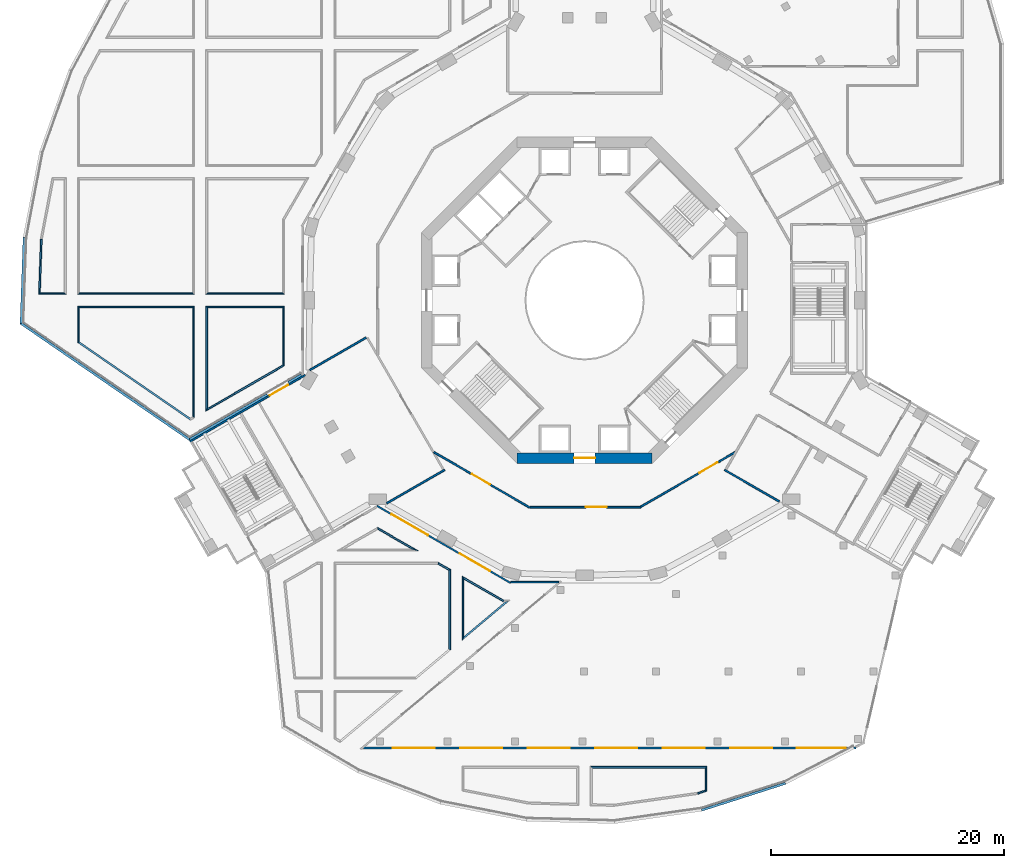
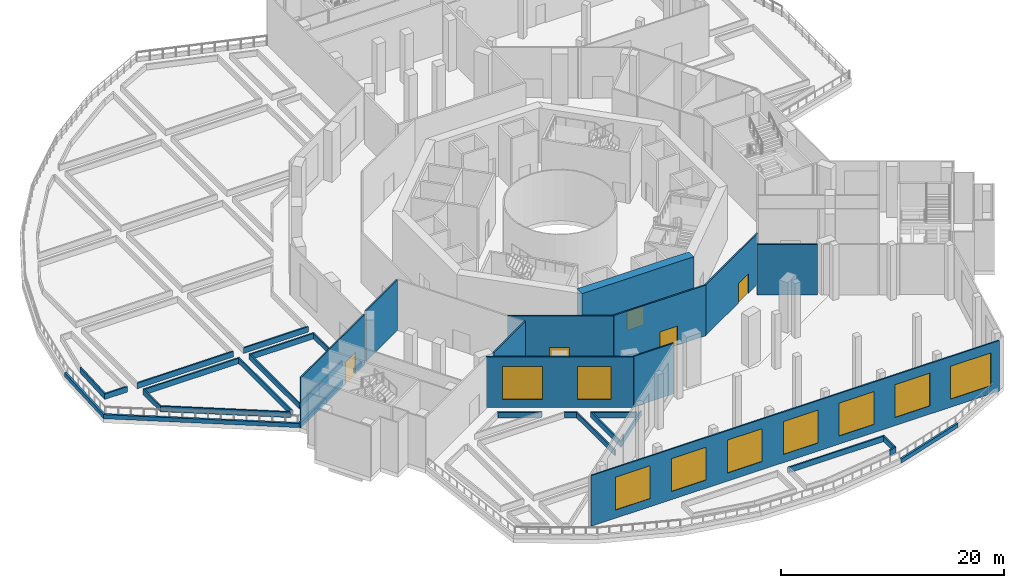
# One storey, part 4 of 29: 37 walls, 9 windows, 5 doors, 14 openings.
"""IFC4 building model written with IfcOpenShell, lengths in metres."""

from ifc_helpers import new_model, si_unit, direction, frame, frame_2d, origin, place, context, subcontext, project, spatial, polyline, rectangle, outline, extrude, material, layer, layer_set, type_object, element, fill, save


model = new_model("IFC4")

# Units and contexts
model_context = context("Model", 3, precision=1e-05, world=origin(), true_north=direction((0.0, 1.0)))
body_context = subcontext(model_context, "Body", "Model", "MODEL_VIEW")
ifc_project = project(units=[si_unit("LENGTHUNIT", "METRE"), si_unit("AREAUNIT", "SQUARE_METRE"), si_unit("VOLUMEUNIT", "CUBIC_METRE"), si_unit("PLANEANGLEUNIT", "RADIAN"), si_unit("MASSUNIT", "GRAM", prefix="KILO")], contexts=[model_context])

# Site, building, storey
site_placement = place(None, origin())
site = spatial("IfcSite", under=ifc_project, at=site_placement, CompositionType="ELEMENT")
building_placement = place(site_placement, origin())
building = spatial("IfcBuilding", under=site, at=building_placement, Name="Verdalira Terraces Hotel", CompositionType="ELEMENT")
storey_placement = place(building_placement, frame((0.0, 0.0, 8.0)))
storey = spatial("IfcBuildingStorey", under=building, at=storey_placement, Name="L01", CompositionType="ELEMENT", Elevation=8.0)

# Wall, opening, door
ifc_material_1 = material(Name="Concrete C70", Category="concrete")
ifc_layer_1 = layer(ifc_material_1, 0.89990234375)
ifc_layer_set_1 = layer_set([ifc_layer_1], Name="Core wall 900 C70")
wall_type_1 = type_object("IfcWallType", Name="Core wall 900 C70", PredefinedType="SHEAR", material=ifc_layer_set_1)
wall_1_placement = place(storey_placement, frame((-5.799072, -13.550049, 0.0), z_axis=(0.0, 0.0, 1.0), x_axis=(1.0, 0.0, 0.0)))
wall_1 = element("IfcWall", 1, at=wall_1_placement, inside=storey, type_object=wall_type_1, Name="Core wall CW-L01-7", PredefinedType="SHEAR", context=body_context, shape_type="SweptSolid", body=[
    extrude(rectangle(XDim=11.598145, YDim=0.899902, at=frame_2d((5.799072, 0.0))), origin(), (0.0, 0.0, 1.0), 6.0),
])
opening_1_placement = place(wall_1_placement, frame((4.898926, 0.0, 0.0)))
opening_1 = element("IfcOpeningElement", 2, at=opening_1_placement, cuts=wall_1, Name="Opening L01-815", PredefinedType="OPENING", context=body_context, shape_type="SweptSolid", body=[
    extrude(rectangle(XDim=1.800049, YDim=2.100098, at=frame_2d((0.899902, 1.050049))), frame((0.0, 0.459961, 0.0), z_axis=(0.0, -1.0, 0.0), x_axis=(1.0, 0.0, 0.0)), (0.0, 0.0, 1.0), 0.919922),
])
ifc_material_2 = material(Name="Steel fire door", Category="steel")
door_type_1 = type_object("IfcDoorType", Name="Core entry door pair 1800 x 2100", OperationType="NOTDEFINED", PredefinedType="DOOR", material=ifc_material_2)
door_1_placement = place(opening_1_placement, origin())
door_1 = element("IfcDoor", 3, at=door_1_placement, inside=storey, type_object=door_type_1, Name="Core entry door L01 6", OperationType="DOUBLE_DOOR_SINGLE_SWING", OverallHeight=2.10009765625, OverallWidth=1.800048828125, PredefinedType="DOOR", context=body_context, shape_type="SweptSolid", body=[
    extrude(rectangle(XDim=1.800049, YDim=2.100098, at=frame_2d((0.899902, 1.050049))), frame((0.0, 0.024902, 0.0), z_axis=(0.0, -1.0, 0.0), x_axis=(1.0, 0.0, 0.0)), (0.0, 0.0, 1.0), 0.050049),
])
fill(opening_1, door_1)

# Walls
ifc_material_3 = material(Name="Gypsum board partition on steel stud", Category="steel")
ifc_layer_2 = layer(ifc_material_3, 0.14990234375)
ifc_layer_set_2 = layer_set([ifc_layer_2], Name="Fire-rated partition 150 mm")
wall_type_2 = type_object("IfcWallType", Name="Fire-rated partition 150 mm", PredefinedType="PARTITIONING", material=ifc_layer_set_2)
wall_2_placement = place(storey_placement, frame((-18.744141, -3.200928, 0.0), z_axis=(0.0, 0.0, 1.0), x_axis=(-0.866027538, -0.499996304, 0.0)))
element("IfcWall", 4, at=wall_2_placement, inside=storey, type_object=wall_type_2, Name="Partition", PredefinedType="PARTITIONING", context=body_context, shape_type="SweptSolid", body=[
    extrude(rectangle(XDim=5.582031, YDim=0.149902, at=frame_2d((2.791016, 0.0))), origin(), (0.0, 0.0, 1.0), 5.550049),
])
wall_3_placement = place(storey_placement, frame((-16.978271, -17.423584, 0.0), z_axis=(0.0, 0.0, 1.0), x_axis=(0.866011812, 0.500023541, 0.0)))
element("IfcWall", 5, at=wall_3_placement, inside=storey, type_object=wall_type_2, Name="Partition", PredefinedType="PARTITIONING", context=body_context, shape_type="SweptSolid", body=[
    extrude(rectangle(XDim=5.732178, YDim=0.149902, at=frame_2d((2.866211, 0.0))), origin(), (0.0, 0.0, 1.0), 5.550049),
])

# Wall, opening, door
wall_4_placement = place(storey_placement, frame((-12.935059, -13.037598, 0.0), z_axis=(0.0, 0.0, 1.0), x_axis=(0.866027519, -0.499996337, 0.0)))
wall_4 = element("IfcWall", 6, at=wall_4_placement, inside=storey, type_object=wall_type_2, Name="Partition", PredefinedType="PARTITIONING", context=body_context, shape_type="SweptSolid", body=[
    extrude(rectangle(XDim=9.516602, YDim=0.149902, at=frame_2d((4.758301, 0.0))), origin(), (0.0, 0.0, 1.0), 5.550049),
])
opening_2_placement = place(wall_4_placement, frame((3.766602, 0.0, 0.0)))
opening_2 = element("IfcOpeningElement", 7, at=opening_2_placement, cuts=wall_4, Name="Opening L01-D11", PredefinedType="OPENING", context=body_context, shape_type="SweptSolid", body=[
    extrude(rectangle(XDim=1.800049, YDim=2.100098, at=frame_2d((0.899902, 1.050049))), frame((0.0, 0.084961, 0.0), z_axis=(0.0, -1.0, 0.0), x_axis=(1.0, 0.0, 0.0)), (0.0, 0.0, 1.0), 0.169922),
])
ifc_material_4 = material(Name="Steel fire door", Category="steel")
door_type_2 = type_object("IfcDoorType", Name="Fire door pair 1800 x 2100", OperationType="DOUBLE_DOOR_SINGLE_SWING", PredefinedType="DOOR", material=ifc_material_4)
door_2_placement = place(opening_2_placement, origin())
door_2 = element("IfcDoor", 8, at=door_2_placement, inside=storey, type_object=door_type_2, Name="Ring corridor door", OperationType="DOUBLE_DOOR_SINGLE_SWING", OverallHeight=2.10009765625, OverallWidth=1.800048828125, PredefinedType="DOOR", context=body_context, shape_type="SweptSolid", body=[
    extrude(rectangle(XDim=1.800049, YDim=2.100098, at=frame_2d((0.899902, 1.050049))), frame((0.0, 0.024902, 0.0), z_axis=(0.0, -1.0, 0.0), x_axis=(1.0, 0.0, 0.0)), (0.0, 0.0, 1.0), 0.050049),
])
fill(opening_2, door_2)

wall_5_placement = place(storey_placement, frame((-4.68335, -17.758301, 0.0), z_axis=(0.0, 0.0, 1.0), x_axis=(1.0, 0.0, 0.0)))
wall_5 = element("IfcWall", 9, at=wall_5_placement, inside=storey, type_object=wall_type_2, Name="Partition", PredefinedType="PARTITIONING", context=body_context, shape_type="SweptSolid", body=[
    extrude(rectangle(XDim=9.516602, YDim=0.149902, at=frame_2d((4.758301, 0.0))), origin(), (0.0, 0.0, 1.0), 5.550049),
])
opening_3_placement = place(wall_5_placement, frame((4.766602, 0.0, 0.0)))
opening_3 = element("IfcOpeningElement", 10, at=opening_3_placement, cuts=wall_5, Name="Opening L01-D14", PredefinedType="OPENING", context=body_context, shape_type="SweptSolid", body=[
    extrude(rectangle(XDim=1.800049, YDim=2.100098, at=frame_2d((0.899902, 1.050049))), frame((0.0, 0.084961, 0.0), z_axis=(0.0, -1.0, 0.0), x_axis=(1.0, 0.0, 0.0)), (0.0, 0.0, 1.0), 0.169922),
])
door_3_placement = place(opening_3_placement, origin())
door_3 = element("IfcDoor", 11, at=door_3_placement, inside=storey, type_object=door_type_2, Name="Ring corridor door", OperationType="DOUBLE_DOOR_SINGLE_SWING", OverallHeight=2.10009765625, OverallWidth=1.800048828125, PredefinedType="DOOR", context=body_context, shape_type="SweptSolid", body=[
    extrude(rectangle(XDim=1.800049, YDim=2.100098, at=frame_2d((0.899902, 1.050049))), frame((0.0, 0.024902, 0.0), z_axis=(0.0, -1.0, 0.0), x_axis=(1.0, 0.0, 0.0)), (0.0, 0.0, 1.0), 0.050049),
])
fill(opening_3, door_3)

# Wall
wall_6_placement = place(storey_placement, frame((12.01416, -14.557373, 0.0), z_axis=(0.0, 0.0, 1.0), x_axis=(0.866014594, -0.500018723, 0.0)))
element("IfcWall", 12, at=wall_6_placement, inside=storey, type_object=wall_type_2, Name="Partition", PredefinedType="PARTITIONING", context=body_context, shape_type="SweptSolid", body=[
    extrude(rectangle(XDim=5.421143, YDim=0.149902, at=frame_2d((2.710449, 0.0))), origin(), (0.0, 0.0, 1.0), 5.550049),
])

# Wall, opening, door
wall_7_placement = place(storey_placement, frame((4.823242, -17.720703, 0.0), z_axis=(0.0, 0.0, 1.0), x_axis=(0.866037142, 0.499979668, 0.0)))
wall_7 = element("IfcWall", 13, at=wall_7_placement, inside=storey, type_object=wall_type_2, Name="Partition", PredefinedType="PARTITIONING", context=body_context, shape_type="SweptSolid", body=[
    extrude(rectangle(XDim=9.366699, YDim=0.149902, at=frame_2d((4.68335, 0.0))), origin(), (0.0, 0.0, 1.0), 5.550049),
])
opening_4_placement = place(wall_7_placement, frame((5.81665, 0.0, 0.0)))
opening_4 = element("IfcOpeningElement", 14, at=opening_4_placement, cuts=wall_7, Name="Opening L01-D19", PredefinedType="OPENING", context=body_context, shape_type="SweptSolid", body=[
    extrude(rectangle(XDim=1.800049, YDim=2.100098, at=frame_2d((0.899902, 1.050049))), frame((0.0, 0.084961, 0.0), z_axis=(0.0, -1.0, 0.0), x_axis=(1.0, 0.0, 0.0)), (0.0, 0.0, 1.0), 0.169922),
])
door_4_placement = place(opening_4_placement, origin())
door_4 = element("IfcDoor", 15, at=door_4_placement, inside=storey, type_object=door_type_2, Name="Ring corridor door", OperationType="DOUBLE_DOOR_SINGLE_SWING", OverallHeight=2.10009765625, OverallWidth=1.800048828125, PredefinedType="DOOR", context=body_context, shape_type="SweptSolid", body=[
    extrude(rectangle(XDim=1.800049, YDim=2.100098, at=frame_2d((0.899902, 1.050049))), frame((0.0, 0.024902, 0.0), z_axis=(0.0, -1.0, 0.0), x_axis=(1.0, 0.0, 0.0)), (0.0, 0.0, 1.0), 0.050049),
])
fill(opening_4, door_4)

# Walls
ifc_material_5 = material(Name="Concrete C40", Category="concrete")
ifc_layer_3 = layer(ifc_material_5, 0.14990234375)
ifc_layer_set_3 = layer_set([ifc_layer_3], Name="Terrace planter trough 150 x 600")
wall_type_3 = type_object("IfcWallType", Name="Terrace planter trough 150 x 600", PredefinedType="SOLIDWALL", material=ifc_layer_set_3)
wall_8_placement = place(storey_placement, origin())
element("IfcWall", 16, at=wall_8_placement, inside=storey, type_object=wall_type_3, Name="Terrace planting bed trough", PredefinedType="SOLIDWALL", context=body_context, shape_type="SweptSolid", body=[
    extrude(outline(polyline([(-32.5, 0.5), (-25.758301, 0.5), (-25.908203, 0.649902), (-32.350098, 0.649902), (-32.5, 0.5)])), origin(), (0.0, 0.0, 1.0), 0.600098),
])
wall_9_placement = place(storey_placement, origin())
element("IfcWall", 17, at=wall_9_placement, inside=storey, type_object=wall_type_3, Name="Terrace planting bed trough", PredefinedType="SOLIDWALL", context=body_context, shape_type="SweptSolid", body=[
    extrude(outline(polyline([(-25.758301, -5.634033), (-25.758301, -0.5), (-25.908203, -0.649902), (-25.908203, -5.547363), (-25.758301, -5.634033)])), origin(), (0.0, 0.0, 1.0), 0.600098),
])
wall_10_placement = place(storey_placement, origin())
element("IfcWall", 18, at=wall_10_placement, inside=storey, type_object=wall_type_3, Name="Terrace planting bed trough", PredefinedType="SOLIDWALL", context=body_context, shape_type="SweptSolid", body=[
    extrude(outline(polyline([(-25.758301, -0.5), (-32.5, -0.5), (-32.350098, -0.649902), (-25.908203, -0.649902), (-25.758301, -0.5)])), origin(), (0.0, 0.0, 1.0), 0.600098),
])
wall_11_placement = place(storey_placement, origin())
element("IfcWall", 19, at=wall_11_placement, inside=storey, type_object=wall_type_3, Name="Terrace planting bed trough", PredefinedType="SOLIDWALL", context=body_context, shape_type="SweptSolid", body=[
    extrude(outline(polyline([(-32.5, -0.5), (-32.5, -9.526367), (-32.350098, -9.266602), (-32.350098, -0.649902), (-32.5, -0.5)])), origin(), (0.0, 0.0, 1.0), 0.600098),
])
wall_12_placement = place(storey_placement, origin())
element("IfcWall", 20, at=wall_12_placement, inside=storey, type_object=wall_type_3, Name="Terrace planting bed trough", PredefinedType="SOLIDWALL", context=body_context, shape_type="SweptSolid", body=[
    extrude(outline(polyline([(-32.5, -9.526367), (-25.758301, -5.634033), (-25.908203, -5.547363), (-32.350098, -9.266602), (-32.5, -9.526367)])), origin(), (0.0, 0.0, 1.0), 0.600098),
])
wall_13_placement = place(storey_placement, origin())
element("IfcWall", 21, at=wall_13_placement, inside=storey, type_object=wall_type_3, Name="Terrace planting bed trough", PredefinedType="SOLIDWALL", context=body_context, shape_type="SweptSolid", body=[
    extrude(outline(polyline([(-33.5, -10.103516), (-33.5, -0.5), (-33.649902, -0.649902), (-33.649902, -10.01709), (-33.5, -10.103516)])), origin(), (0.0, 0.0, 1.0), 0.600098),
])
wall_14_placement = place(storey_placement, origin())
element("IfcWall", 22, at=wall_14_placement, inside=storey, type_object=wall_type_3, Name="Terrace planting bed trough", PredefinedType="SOLIDWALL", context=body_context, shape_type="SweptSolid", body=[
    extrude(outline(polyline([(-33.5, -0.5), (-43.5, -0.5), (-43.350098, -0.649902), (-33.649902, -0.649902), (-33.5, -0.5)])), origin(), (0.0, 0.0, 1.0), 0.600098),
])
wall_15_placement = place(storey_placement, origin())
element("IfcWall", 23, at=wall_15_placement, inside=storey, type_object=wall_type_3, Name="Terrace planting bed trough", PredefinedType="SOLIDWALL", context=body_context, shape_type="SweptSolid", body=[
    extrude(outline(polyline([(-43.5, -0.5), (-43.5, -3.639404), (-43.350098, -3.560791), (-43.350098, -0.649902), (-43.5, -0.5)])), origin(), (0.0, 0.0, 1.0), 0.600098),
])
wall_16_placement = place(storey_placement, origin())
element("IfcWall", 24, at=wall_16_placement, inside=storey, type_object=wall_type_3, Name="Terrace planting bed trough", PredefinedType="SOLIDWALL", context=body_context, shape_type="SweptSolid", body=[
    extrude(outline(polyline([(-43.5, -3.639404), (-33.83667, -10.298096), (-33.82959, -10.120605), (-43.350098, -3.560791), (-43.5, -3.639404)])), origin(), (0.0, 0.0, 1.0), 0.600098),
])
wall_17_placement = place(storey_placement, origin())
element("IfcWall", 25, at=wall_17_placement, inside=storey, type_object=wall_type_3, Name="Terrace planting bed trough", PredefinedType="SOLIDWALL", context=body_context, shape_type="SweptSolid", body=[
    extrude(outline(polyline([(-46.70166, 5.247559), (-46.867188, 0.5), (-46.711914, 0.649902), (-46.552002, 5.230713), (-46.70166, 5.247559)])), origin(), (0.0, 0.0, 1.0), 0.600098),
])
wall_18_placement = place(storey_placement, origin())
element("IfcWall", 26, at=wall_18_placement, inside=storey, type_object=wall_type_3, Name="Terrace planting bed trough", PredefinedType="SOLIDWALL", context=body_context, shape_type="SweptSolid", body=[
    extrude(outline(polyline([(-46.867188, 0.5), (-44.5, 0.5), (-44.649902, 0.649902), (-46.711914, 0.649902), (-46.867188, 0.5)])), origin(), (0.0, 0.0, 1.0), 0.600098),
])
wall_19_placement = place(storey_placement, origin())
element("IfcWall", 27, at=wall_19_placement, inside=storey, type_object=wall_type_3, Name="Terrace planting bed trough", PredefinedType="SOLIDWALL", context=body_context, shape_type="SweptSolid", body=[
    extrude(outline(polyline([(-43.5, 0.5), (-33.5, 0.5), (-33.649902, 0.649902), (-43.350098, 0.649902), (-43.5, 0.5)])), origin(), (0.0, 0.0, 1.0), 0.600098),
])
wall_20_placement = place(storey_placement, origin())
element("IfcWall", 28, at=wall_20_placement, inside=storey, type_object=wall_type_3, Name="Terrace planting bed trough", PredefinedType="SOLIDWALL", context=body_context, shape_type="SweptSolid", body=[
    extrude(outline(polyline([(-14.277588, -21.5), (-17.758301, -19.490479), (-17.758301, -19.663574), (-14.837402, -21.350098), (-14.277588, -21.5)])), origin(), (0.0, 0.0, 1.0), 0.600098),
])
wall_21_placement = place(storey_placement, origin())
element("IfcWall", 29, at=wall_21_placement, inside=storey, type_object=wall_type_3, Name="Terrace planting bed trough", PredefinedType="SOLIDWALL", context=body_context, shape_type="SweptSolid", body=[
    extrude(outline(polyline([(-11.5, -23.103516), (-12.54541, -22.5), (-12.585693, -22.649902), (-11.649902, -23.190186), (-11.5, -23.103516)])), origin(), (0.0, 0.0, 1.0), 0.600098),
])
wall_22_placement = place(storey_placement, origin())
element("IfcWall", 30, at=wall_22_placement, inside=storey, type_object=wall_type_3, Name="Terrace planting bed trough", PredefinedType="SOLIDWALL", context=body_context, shape_type="SweptSolid", body=[
    extrude(outline(polyline([(-11.5, -30.013184), (-11.5, -23.103516), (-11.649902, -23.190186), (-11.649902, -29.943359), (-11.5, -30.013184)])), origin(), (0.0, 0.0, 1.0), 0.600098),
])
wall_23_placement = place(storey_placement, origin())
element("IfcWall", 31, at=wall_23_placement, inside=storey, type_object=wall_type_3, Name="Terrace planting bed trough", PredefinedType="SOLIDWALL", context=body_context, shape_type="SweptSolid", body=[
    extrude(outline(polyline([(-6.901855, -25.758301), (-10.5, -23.680908), (-10.350098, -23.940918), (-6.942139, -25.908203), (-6.901855, -25.758301)])), origin(), (0.0, 0.0, 1.0), 0.600098),
])
wall_24_placement = place(storey_placement, origin())
element("IfcWall", 32, at=wall_24_placement, inside=storey, type_object=wall_type_3, Name="Terrace planting bed trough", PredefinedType="SOLIDWALL", context=body_context, shape_type="SweptSolid", body=[
    extrude(outline(polyline([(-10.5, -23.680908), (-10.5, -29.174316), (-10.350098, -28.852539), (-10.350098, -23.940918), (-10.5, -23.680908)])), origin(), (0.0, 0.0, 1.0), 0.600098),
])
wall_25_placement = place(storey_placement, origin())
element("IfcWall", 33, at=wall_25_placement, inside=storey, type_object=wall_type_3, Name="Terrace planting bed trough", PredefinedType="SOLIDWALL", context=body_context, shape_type="SweptSolid", body=[
    extrude(outline(polyline([(-10.5, -29.174316), (-6.429199, -25.758301), (-6.841309, -25.908203), (-10.350098, -28.852539), (-10.5, -29.174316)])), origin(), (0.0, 0.0, 1.0), 0.600098),
])
wall_26_placement = place(storey_placement, origin())
element("IfcWall", 34, at=wall_26_placement, inside=storey, type_object=wall_type_3, Name="Terrace planting bed trough", PredefinedType="SOLIDWALL", context=body_context, shape_type="SweptSolid", body=[
    extrude(outline(polyline([(9.738281, -42.390381), (10.5, -42.146484), (10.350098, -42.037109), (9.70459, -42.243896), (9.738281, -42.390381)])), origin(), (0.0, 0.0, 1.0), 0.600098),
])
wall_27_placement = place(storey_placement, origin())
element("IfcWall", 35, at=wall_27_placement, inside=storey, type_object=wall_type_3, Name="Terrace planting bed trough", PredefinedType="SOLIDWALL", context=body_context, shape_type="SweptSolid", body=[
    extrude(outline(polyline([(10.5, -42.146484), (10.5, -40.0), (10.350098, -40.149902), (10.350098, -42.037109), (10.5, -42.146484)])), origin(), (0.0, 0.0, 1.0), 0.600098),
])
wall_28_placement = place(storey_placement, origin())
element("IfcWall", 36, at=wall_28_placement, inside=storey, type_object=wall_type_3, Name="Terrace planting bed trough", PredefinedType="SOLIDWALL", context=body_context, shape_type="SweptSolid", body=[
    extrude(outline(polyline([(10.5, -40.0), (0.5, -40.0), (0.649902, -40.149902), (10.350098, -40.149902), (10.5, -40.0)])), origin(), (0.0, 0.0, 1.0), 0.600098),
])
ifc_material_6 = material(Name="Concrete C40", Category="concrete")
ifc_layer_4 = layer(ifc_material_6, 0.199951171875)
ifc_layer_set_4 = layer_set([ifc_layer_4], Name="Terrace upstand 200 x 450")
wall_type_4 = type_object("IfcWallType", Name="Terrace upstand 200 x 450", PredefinedType="SOLIDWALL", material=ifc_layer_set_4)
wall_29_placement = place(storey_placement, origin())
element("IfcWall", 37, at=wall_29_placement, inside=storey, type_object=wall_type_4, Name="Terrace upstand", PredefinedType="SOLIDWALL", context=body_context, shape_type="SweptSolid", body=[
    extrude(outline(polyline([(-47.997314, 5.393311), (-48.196777, 5.415527), (-48.456787, -2.045654), (-48.253174, -1.943115), (-47.997314, 5.393311)])), origin(), (0.0, 0.0, 1.0), 0.449951),
])
wall_30_placement = place(storey_placement, origin())
element("IfcWall", 38, at=wall_30_placement, inside=storey, type_object=wall_type_4, Name="Terrace upstand", PredefinedType="SOLIDWALL", context=body_context, shape_type="SweptSolid", body=[
    extrude(outline(polyline([(-48.253174, -1.943115), (-48.456787, -2.045654), (-33.907227, -12.070801), (-33.897949, -11.834473), (-48.253174, -1.943115)])), origin(), (0.0, 0.0, 1.0), 0.449951),
])
wall_31_placement = place(storey_placement, origin())
element("IfcWall", 39, at=wall_31_placement, inside=storey, type_object=wall_type_4, Name="Terrace upstand", PredefinedType="SOLIDWALL", context=body_context, shape_type="SweptSolid", body=[
    extrude(outline(polyline([(-33.907227, -12.070801), (-27.189697, -8.192383), (-27.289795, -8.019287), (-33.897949, -11.834473), (-33.907227, -12.070801)])), origin(), (0.0, 0.0, 1.0), 0.449951),
])
wall_32_placement = place(storey_placement, origin())
element("IfcWall", 40, at=wall_32_placement, inside=storey, type_object=wall_type_4, Name="Terrace upstand", PredefinedType="SOLIDWALL", context=body_context, shape_type="SweptSolid", body=[
    extrude(outline(polyline([(-24.358398, -6.326904), (-25.471191, -6.969238), (-25.371094, -7.142334), (-24.258301, -6.5), (-24.358398, -6.326904)])), origin(), (0.0, 0.0, 1.0), 0.449951),
])
wall_33_placement = place(storey_placement, origin())
element("IfcWall", 41, at=wall_33_placement, inside=storey, type_object=wall_type_4, Name="Terrace upstand", PredefinedType="SOLIDWALL", context=body_context, shape_type="SweptSolid", body=[
    extrude(outline(polyline([(10.030518, -43.662109), (10.075195, -43.857666), (17.281982, -41.549072), (17.204834, -41.36377), (10.030518, -43.662109)])), origin(), (0.0, 0.0, 1.0), 0.449951),
])

# Wall, opening, door
ifc_material_7 = material(Name="Concrete C40", Category="concrete")
ifc_layer_5 = layer(ifc_material_7, 0.139892578125)
ifc_layer_set_5 = layer_set([ifc_layer_5], Name="Terracotta clad concrete wall C40 140 mm")
wall_type_5 = type_object("IfcWallType", Name="Terracotta clad concrete wall C40 140 mm", PredefinedType="SOLIDWALL", material=ifc_layer_set_5)
wall_34_placement = place(storey_placement, frame((-23.995361, -6.428955, 0.0), z_axis=(0.0, 0.0, 1.0), x_axis=(-0.866018753, -0.500011519, 0.0)))
wall_34 = element("IfcWall", 42, at=wall_34_placement, inside=storey, type_object=wall_type_5, Name="Podium facade wall", PredefinedType="SOLIDWALL", context=body_context, shape_type="SweptSolid", body=[
    extrude(rectangle(XDim=11.405029, YDim=0.139893, at=frame_2d((5.702637, 0.0))), origin(), (0.0, 0.0, 1.0), 5.550049),
])
opening_5_placement = place(wall_34_placement, frame((1.697998, 0.0, 0.0)))
opening_5 = element("IfcOpeningElement", 43, at=opening_5_placement, cuts=wall_34, Name="Opening L01-T04", PredefinedType="OPENING", context=body_context, shape_type="SweptSolid", body=[
    extrude(rectangle(XDim=1.800049, YDim=2.399902, at=frame_2d((0.899902, 1.199951))), frame((0.0, 0.079834, 0.0), z_axis=(0.0, -1.0, 0.0), x_axis=(1.0, 0.0, 0.0)), (0.0, 0.0, 1.0), 0.159912),
])
ifc_material_8 = material(Name="Glazed aluminium door", Category="aluminium")
door_type_3 = type_object("IfcDoorType", Name="Terrace door pair 1800 x 2400", OperationType="DOUBLE_DOOR_SINGLE_SWING", PredefinedType="DOOR", material=ifc_material_8)
door_5_placement = place(opening_5_placement, origin())
door_5 = element("IfcDoor", 44, at=door_5_placement, inside=storey, type_object=door_type_3, Name="Terrace door", OperationType="DOUBLE_DOOR_SINGLE_SWING", OverallHeight=2.39990234375, OverallWidth=1.800048828125, PredefinedType="DOOR", context=body_context, shape_type="SweptSolid", body=[
    extrude(rectangle(XDim=1.800049, YDim=2.399902, at=frame_2d((0.899902, 1.199951))), frame((0.0, 0.024902, 0.0), z_axis=(0.0, -1.0, 0.0), x_axis=(1.0, 0.0, 0.0)), (0.0, 0.0, 1.0), 0.050049),
])
fill(opening_5, door_5)

# Wall, openings, windows
ifc_material_9 = material(Name="Terracotta cladding on steel stud backup", Category="masonry")
ifc_layer_6 = layer(ifc_material_9, 0.139892578125)
ifc_layer_set_6 = layer_set([ifc_layer_6], Name="Terracotta clad wall 140 mm")
wall_type_6 = type_object("IfcWallType", Name="Terracotta clad wall 140 mm", PredefinedType="SOLIDWALL", material=ifc_layer_set_6)
wall_35_placement = place(storey_placement, frame((-17.828369, -17.637207, 0.0), z_axis=(0.0, 0.0, 1.0), x_axis=(0.866029009, -0.499993756, 0.0)))
wall_35 = element("IfcWall", 45, at=wall_35_placement, inside=storey, type_object=wall_type_6, Name="Podium facade wall", PredefinedType="SOLIDWALL", context=body_context, shape_type="SweptSolid", body=[
    extrude(rectangle(XDim=13.242432, YDim=0.139893, at=frame_2d((6.621094, 0.0))), origin(), (0.0, 0.0, 1.0), 5.550049),
])
opening_6_placement = place(wall_35_placement, frame((1.460205, 0.0, 0.899902)))
opening_6 = element("IfcOpeningElement", 46, at=opening_6_placement, cuts=wall_35, Name="Opening WP", PredefinedType="OPENING", context=body_context, shape_type="SweptSolid", body=[
    extrude(rectangle(XDim=3.600098, YDim=3.600098, at=frame_2d((1.800049, 1.800049))), frame((0.0, 0.079834, 0.0), z_axis=(0.0, -1.0, 0.0), x_axis=(1.0, 0.0, 0.0)), (0.0, 0.0, 1.0), 0.159912),
])
opening_7_placement = place(wall_35_placement, frame((8.2146, 0.0, 0.899902)))
opening_7 = element("IfcOpeningElement", 47, at=opening_7_placement, cuts=wall_35, Name="Opening WP", PredefinedType="OPENING", context=body_context, shape_type="SweptSolid", body=[
    extrude(rectangle(XDim=3.0, YDim=3.600098, at=frame_2d((1.5, 1.800049))), frame((0.0, 0.079834, 0.0), z_axis=(0.0, -1.0, 0.0), x_axis=(1.0, 0.0, 0.0)), (0.0, 0.0, 1.0), 0.159912),
])
ifc_material_10 = material(Name="Clear double glazing in aluminium frame", Category="aluminium")
window_type_1 = type_object("IfcWindowType", Name="Podium window 3000 x 3600", PartitioningType="SINGLE_PANEL", PredefinedType="WINDOW", material=ifc_material_10)
window_1_placement = place(opening_7_placement, origin())
window_1 = element("IfcWindow", 48, at=window_1_placement, inside=storey, type_object=window_type_1, Name="Podium window", OverallHeight=3.60009765625, OverallWidth=3.0, PartitioningType="SINGLE_PANEL", PredefinedType="WINDOW", context=body_context, shape_type="SweptSolid", body=[
    extrude(rectangle(XDim=3.0, YDim=3.600098, at=frame_2d((1.5, 1.800049))), frame((0.0, 0.030029, 0.0), z_axis=(0.0, -1.0, 0.0), x_axis=(1.0, 0.0, 0.0)), (0.0, 0.0, 1.0), 0.060059),
])
fill(opening_7, window_1)
ifc_material_11 = material(Name="Clear double glazing in aluminium frame", Category="aluminium")
window_type_2 = type_object("IfcWindowType", Name="Podium window 3600 x 3600", PartitioningType="SINGLE_PANEL", PredefinedType="WINDOW", material=ifc_material_11)
window_2_placement = place(opening_6_placement, origin())
window_2 = element("IfcWindow", 49, at=window_2_placement, inside=storey, type_object=window_type_2, Name="Podium window", OverallHeight=3.60009765625, OverallWidth=3.60009765625, PartitioningType="SINGLE_PANEL", PredefinedType="WINDOW", context=body_context, shape_type="SweptSolid", body=[
    extrude(rectangle(XDim=3.600098, YDim=3.600098, at=frame_2d((1.800049, 1.800049))), frame((0.0, 0.030029, 0.0), z_axis=(0.0, -1.0, 0.0), x_axis=(1.0, 0.0, 0.0)), (0.0, 0.0, 1.0), 0.060059),
])
fill(opening_6, window_2)

# Wall
wall_36_placement = place(storey_placement, frame((-6.341309, -24.188232, 0.0), z_axis=(0.0, 0.0, 1.0), x_axis=(1.0, 0.0, 0.0)))
element("IfcWall", 50, at=wall_36_placement, inside=storey, type_object=wall_type_6, Name="Podium facade wall", PredefinedType="SOLIDWALL", context=body_context, shape_type="SweptSolid", body=[
    extrude(rectangle(XDim=4.116943, YDim=0.139893, at=frame_2d((2.058594, 0.0))), origin(), (0.0, 0.0, 1.0), 5.550049),
])

# Wall, openings, windows
wall_37_placement = place(storey_placement, frame((-18.979248, -38.429932, 0.0), z_axis=(0.0, 0.0, 1.0), x_axis=(1.0, 0.0, 0.0)))
wall_37 = element("IfcWall", 51, at=wall_37_placement, inside=storey, type_object=wall_type_6, Name="Podium facade wall", PredefinedType="SOLIDWALL", context=body_context, shape_type="SweptSolid", body=[
    extrude(rectangle(XDim=42.276855, YDim=0.139893, at=frame_2d((21.138428, 0.0))), origin(), (0.0, 0.0, 1.0), 5.550049),
])
opening_8_placement = place(wall_37_placement, frame((2.501465, 0.0, 0.899902)))
opening_8 = element("IfcOpeningElement", 52, at=opening_8_placement, cuts=wall_37, Name="Opening WP", PredefinedType="OPENING", context=body_context, shape_type="SweptSolid", body=[
    extrude(rectangle(XDim=3.600098, YDim=3.600098, at=frame_2d((1.800049, 1.800049))), frame((0.0, 0.079834, 0.0), z_axis=(0.0, -1.0, 0.0), x_axis=(1.0, 0.0, 0.0)), (0.0, 0.0, 1.0), 0.159912),
])
opening_9_placement = place(wall_37_placement, frame((8.299805, 0.0, 0.899902)))
opening_9 = element("IfcOpeningElement", 53, at=opening_9_placement, cuts=wall_37, Name="Opening WP", PredefinedType="OPENING", context=body_context, shape_type="SweptSolid", body=[
    extrude(rectangle(XDim=3.600098, YDim=3.600098, at=frame_2d((1.800049, 1.800049))), frame((0.0, 0.079834, 0.0), z_axis=(0.0, -1.0, 0.0), x_axis=(1.0, 0.0, 0.0)), (0.0, 0.0, 1.0), 0.159912),
])
opening_10_placement = place(wall_37_placement, frame((14.098145, 0.0, 0.899902)))
opening_10 = element("IfcOpeningElement", 54, at=opening_10_placement, cuts=wall_37, Name="Opening WP", PredefinedType="OPENING", context=body_context, shape_type="SweptSolid", body=[
    extrude(rectangle(XDim=3.600098, YDim=3.600098, at=frame_2d((1.800049, 1.800049))), frame((0.0, 0.079834, 0.0), z_axis=(0.0, -1.0, 0.0), x_axis=(1.0, 0.0, 0.0)), (0.0, 0.0, 1.0), 0.159912),
])
opening_11_placement = place(wall_37_placement, frame((19.896484, 0.0, 0.899902)))
opening_11 = element("IfcOpeningElement", 55, at=opening_11_placement, cuts=wall_37, Name="Opening WP", PredefinedType="OPENING", context=body_context, shape_type="SweptSolid", body=[
    extrude(rectangle(XDim=3.600098, YDim=3.600098, at=frame_2d((1.800049, 1.800049))), frame((0.0, 0.079834, 0.0), z_axis=(0.0, -1.0, 0.0), x_axis=(1.0, 0.0, 0.0)), (0.0, 0.0, 1.0), 0.159912),
])
opening_12_placement = place(wall_37_placement, frame((25.69458, 0.0, 0.899902)))
opening_12 = element("IfcOpeningElement", 56, at=opening_12_placement, cuts=wall_37, Name="Opening WP", PredefinedType="OPENING", context=body_context, shape_type="SweptSolid", body=[
    extrude(rectangle(XDim=3.600098, YDim=3.600098, at=frame_2d((1.800049, 1.800049))), frame((0.0, 0.079834, 0.0), z_axis=(0.0, -1.0, 0.0), x_axis=(1.0, 0.0, 0.0)), (0.0, 0.0, 1.0), 0.159912),
])
opening_13_placement = place(wall_37_placement, frame((31.49292, 0.0, 0.899902)))
opening_13 = element("IfcOpeningElement", 57, at=opening_13_placement, cuts=wall_37, Name="Opening WP", PredefinedType="OPENING", context=body_context, shape_type="SweptSolid", body=[
    extrude(rectangle(XDim=3.600098, YDim=3.600098, at=frame_2d((1.800049, 1.800049))), frame((0.0, 0.079834, 0.0), z_axis=(0.0, -1.0, 0.0), x_axis=(1.0, 0.0, 0.0)), (0.0, 0.0, 1.0), 0.159912),
])
opening_14_placement = place(wall_37_placement, frame((37.208496, 0.0, 0.899902)))
opening_14 = element("IfcOpeningElement", 58, at=opening_14_placement, cuts=wall_37, Name="Opening WP", PredefinedType="OPENING", context=body_context, shape_type="SweptSolid", body=[
    extrude(rectangle(XDim=4.199951, YDim=3.600098, at=frame_2d((2.100098, 1.800049))), frame((0.0, 0.079834, 0.0), z_axis=(0.0, -1.0, 0.0), x_axis=(1.0, 0.0, 0.0)), (0.0, 0.0, 1.0), 0.159912),
])
window_3_placement = place(opening_8_placement, origin())
window_3 = element("IfcWindow", 59, at=window_3_placement, inside=storey, type_object=window_type_2, Name="Podium window", OverallHeight=3.60009765625, OverallWidth=3.60009765625, PartitioningType="SINGLE_PANEL", PredefinedType="WINDOW", context=body_context, shape_type="SweptSolid", body=[
    extrude(rectangle(XDim=3.600098, YDim=3.600098, at=frame_2d((1.800049, 1.800049))), frame((0.0, 0.030029, 0.0), z_axis=(0.0, -1.0, 0.0), x_axis=(1.0, 0.0, 0.0)), (0.0, 0.0, 1.0), 0.060059),
])
fill(opening_8, window_3)
window_4_placement = place(opening_9_placement, origin())
window_4 = element("IfcWindow", 60, at=window_4_placement, inside=storey, type_object=window_type_2, Name="Podium window", OverallHeight=3.60009765625, OverallWidth=3.60009765625, PartitioningType="SINGLE_PANEL", PredefinedType="WINDOW", context=body_context, shape_type="SweptSolid", body=[
    extrude(rectangle(XDim=3.600098, YDim=3.600098, at=frame_2d((1.800049, 1.800049))), frame((0.0, 0.030029, 0.0), z_axis=(0.0, -1.0, 0.0), x_axis=(1.0, 0.0, 0.0)), (0.0, 0.0, 1.0), 0.060059),
])
fill(opening_9, window_4)
window_5_placement = place(opening_10_placement, origin())
window_5 = element("IfcWindow", 61, at=window_5_placement, inside=storey, type_object=window_type_2, Name="Podium window", OverallHeight=3.60009765625, OverallWidth=3.60009765625, PartitioningType="SINGLE_PANEL", PredefinedType="WINDOW", context=body_context, shape_type="SweptSolid", body=[
    extrude(rectangle(XDim=3.600098, YDim=3.600098, at=frame_2d((1.800049, 1.800049))), frame((0.0, 0.030029, 0.0), z_axis=(0.0, -1.0, 0.0), x_axis=(1.0, 0.0, 0.0)), (0.0, 0.0, 1.0), 0.060059),
])
fill(opening_10, window_5)
window_6_placement = place(opening_11_placement, origin())
window_6 = element("IfcWindow", 62, at=window_6_placement, inside=storey, type_object=window_type_2, Name="Podium window", OverallHeight=3.60009765625, OverallWidth=3.60009765625, PartitioningType="SINGLE_PANEL", PredefinedType="WINDOW", context=body_context, shape_type="SweptSolid", body=[
    extrude(rectangle(XDim=3.600098, YDim=3.600098, at=frame_2d((1.800049, 1.800049))), frame((0.0, 0.030029, 0.0), z_axis=(0.0, -1.0, 0.0), x_axis=(1.0, 0.0, 0.0)), (0.0, 0.0, 1.0), 0.060059),
])
fill(opening_11, window_6)
window_7_placement = place(opening_12_placement, origin())
window_7 = element("IfcWindow", 63, at=window_7_placement, inside=storey, type_object=window_type_2, Name="Podium window", OverallHeight=3.60009765625, OverallWidth=3.60009765625, PartitioningType="SINGLE_PANEL", PredefinedType="WINDOW", context=body_context, shape_type="SweptSolid", body=[
    extrude(rectangle(XDim=3.600098, YDim=3.600098, at=frame_2d((1.800049, 1.800049))), frame((0.0, 0.030029, 0.0), z_axis=(0.0, -1.0, 0.0), x_axis=(1.0, 0.0, 0.0)), (0.0, 0.0, 1.0), 0.060059),
])
fill(opening_12, window_7)
window_8_placement = place(opening_13_placement, origin())
window_8 = element("IfcWindow", 64, at=window_8_placement, inside=storey, type_object=window_type_2, Name="Podium window", OverallHeight=3.60009765625, OverallWidth=3.60009765625, PartitioningType="SINGLE_PANEL", PredefinedType="WINDOW", context=body_context, shape_type="SweptSolid", body=[
    extrude(rectangle(XDim=3.600098, YDim=3.600098, at=frame_2d((1.800049, 1.800049))), frame((0.0, 0.030029, 0.0), z_axis=(0.0, -1.0, 0.0), x_axis=(1.0, 0.0, 0.0)), (0.0, 0.0, 1.0), 0.060059),
])
fill(opening_13, window_8)
ifc_material_12 = material(Name="Clear double glazing in aluminium frame", Category="aluminium")
window_type_3 = type_object("IfcWindowType", Name="Podium window 4200 x 3600", PartitioningType="SINGLE_PANEL", PredefinedType="WINDOW", material=ifc_material_12)
window_9_placement = place(opening_14_placement, origin())
window_9 = element("IfcWindow", 65, at=window_9_placement, inside=storey, type_object=window_type_3, Name="Podium window", OverallHeight=3.60009765625, OverallWidth=4.199951171875, PartitioningType="SINGLE_PANEL", PredefinedType="WINDOW", context=body_context, shape_type="SweptSolid", body=[
    extrude(rectangle(XDim=4.199951, YDim=3.600098, at=frame_2d((2.100098, 1.800049))), frame((0.0, 0.030029, 0.0), z_axis=(0.0, -1.0, 0.0), x_axis=(1.0, 0.0, 0.0)), (0.0, 0.0, 1.0), 0.060059),
])
fill(opening_14, window_9)

save(model, "model.ifc")
